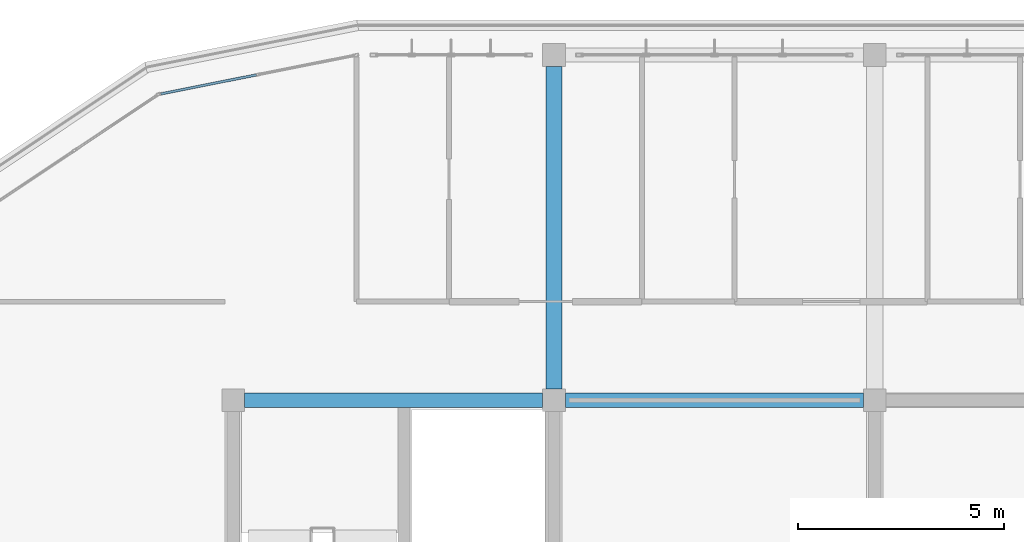
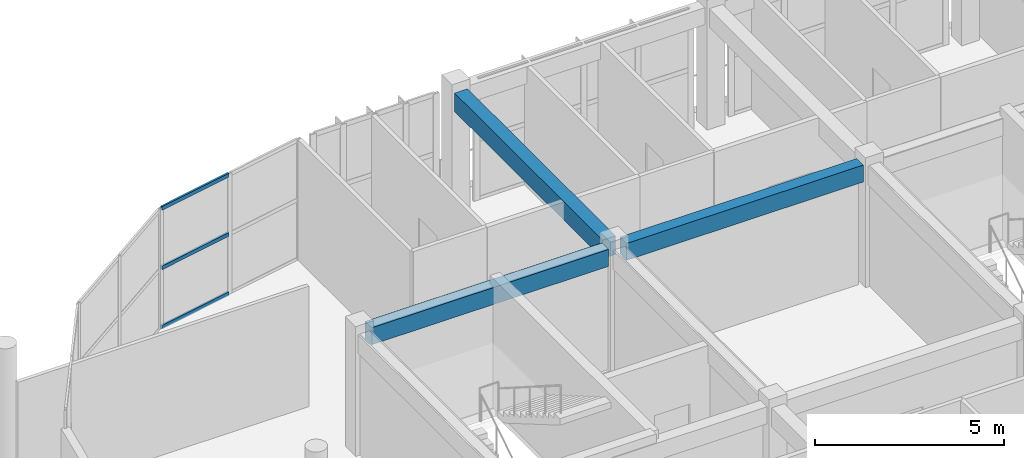
# One storey, part 7 of 44: 3 beams, 3 members, 1 element without a shape of its own.
"""IFC4 building model written with IfcOpenShell, lengths in metres."""

import ifcopenshell
import ifcopenshell.guid

model = None  # the IFC model being written
_history = None  # IfcOwnerHistory: only IFC2X3 demands one
_inside = {}  # id of a spatial element -> (the spatial element, [elements in it])
_under = {}  # id of a project, library or spatial element -> (it, [spatial elements below it])
_declared = {}  # id of a project -> (the project, [libraries it declares])
_typed = {}  # id of a type object -> (the type object, [elements of that type])
_made_of = {}  # id of a material, layer set ... -> (it, [elements and type objects made of it])


def new_model(schema):
    """Start an empty IFC model of exactly this schema.

    Asked for "IFC4X3", IfcOpenShell would pick the latest addendum, in which some entities
    have other attributes; the version numbers below select the first issue.
    IFC2X3 requires an IfcOwnerHistory on every rooted entity: one is made here for all.
    """
    global model, _history
    if schema == "IFC4X3":
        model = ifcopenshell.file(schema_version=(4, 3, 0, 0))
    else:
        model = ifcopenshell.file(schema=schema)
    _inside.clear()
    _under.clear()
    _declared.clear()
    _typed.clear()
    _made_of.clear()
    _history = None
    if model.schema == "IFC2X3":
        org = make("IfcOrganization", Name="unknown")
        user = make(
            "IfcPersonAndOrganization",
            ThePerson=make("IfcPerson", FamilyName="unknown"),
            TheOrganization=org,
        )
        app = make(
            "IfcApplication",
            ApplicationDeveloper=org,
            Version="unknown",
            ApplicationFullName="unknown",
            ApplicationIdentifier="unknown",
        )
        _history = make(
            "IfcOwnerHistory",
            OwningUser=user,
            OwningApplication=app,
            ChangeAction="ADDED",
            CreationDate=0,
        )
    return model


def make(cls, **values):
    """One entity of the class cls with the attributes given. An attribute that is None is left unset."""
    return model.create_entity(
        cls, **{name: value for name, value in values.items() if value is not None}
    )


def rooted(cls, **values):
    """An entity with a GlobalId (a new one), such as an element, a storey or a relation."""
    return make(cls, GlobalId=ifcopenshell.guid.new(), OwnerHistory=_history, **values)


def si_unit(unit_type, name, prefix=None):
    """IfcSIUnit, for example si_unit("LENGTHUNIT", "METRE", prefix="MILLI")."""
    return make("IfcSIUnit", UnitType=unit_type, Prefix=prefix, Name=name)


def assignment(units):
    """IfcUnitAssignment: the units of a project."""
    return None if units is None else make("IfcUnitAssignment", Units=units)


def point(xyz):
    """IfcCartesianPoint."""
    return None if xyz is None else make("IfcCartesianPoint", Coordinates=xyz)


def direction(xyz):
    """IfcDirection."""
    return None if xyz is None else make("IfcDirection", DirectionRatios=xyz)


def frame(location, z_axis=None, x_axis=None):
    """IfcAxis2Placement3D, a coordinate frame: its origin and axes. An axis left out is left unset."""
    return make(
        "IfcAxis2Placement3D",
        Location=point(location),
        Axis=direction(z_axis),
        RefDirection=direction(x_axis),
    )


def frame_2d(location, x_axis=None):
    """IfcAxis2Placement2D, a coordinate frame in the plane: its origin and x axis."""
    return make(
        "IfcAxis2Placement2D", Location=point(location), RefDirection=direction(x_axis)
    )


def origin():
    """The frame at (0, 0, 0) with its axes left unset."""
    return frame((0.0, 0.0, 0.0))


def origin_2d():
    """The frame at (0, 0) in the plane with its x axis left unset."""
    return frame_2d((0.0, 0.0))


def place(relative_to, where):
    """IfcLocalPlacement: puts the frame where relative to a parent placement (None: the world)."""
    return make(
        "IfcLocalPlacement", PlacementRelTo=relative_to, RelativePlacement=where
    )


def context(
    kind, dimensions, precision=None, world=None, true_north=None, identifier=None
):
    """IfcGeometricRepresentationContext, for example the 3D "Model" context."""
    return make(
        "IfcGeometricRepresentationContext",
        ContextIdentifier=identifier,
        ContextType=kind,
        CoordinateSpaceDimension=dimensions,
        Precision=precision,
        WorldCoordinateSystem=world,
        TrueNorth=true_north,
    )


def subcontext(parent, identifier, kind, view, scale=None):
    """IfcGeometricRepresentationSubContext, for example "Body" below "Model"."""
    return make(
        "IfcGeometricRepresentationSubContext",
        ContextIdentifier=identifier,
        ContextType=kind,
        ParentContext=parent,
        TargetScale=scale,
        TargetView=view,
    )


def project(units=None, contexts=None):
    """IfcProject with its units and contexts."""
    return rooted(
        "IfcProject",
        Name="project",
        RepresentationContexts=contexts,
        UnitsInContext=assignment(units),
    )


def spatial(cls, under=None, at=None, **own):
    """A site, building, storey or space (cls), placed at a placement, below another one or the project."""
    s = rooted(cls, ObjectPlacement=at, **own)
    if under is not None:
        _under.setdefault(under.id(), (under, []))[1].append(s)
    return s


def profile(cls, at=None, kind="AREA", **sizes):
    """A parametric profile (cls). Its sizes go by their IFC names, for example OverallWidth=200.0."""
    return make(cls, ProfileType=kind, Position=at, **sizes)


def rectangle(**sizes):
    """IfcRectangleProfileDef."""
    return profile("IfcRectangleProfileDef", **sizes)


def hollow_rectangle(**sizes):
    """IfcRectangleHollowProfileDef."""
    return profile("IfcRectangleHollowProfileDef", **sizes)


def extrude(swept, where, along, depth):
    """IfcExtrudedAreaSolid: the profile swept, set in the frame where, extruded along a direction by depth."""
    return make(
        "IfcExtrudedAreaSolid",
        SweptArea=swept,
        Position=where,
        ExtrudedDirection=direction(along),
        Depth=depth,
    )


def shape(context_of_items, identifier, shape_type, items):
    """IfcShapeRepresentation: the items that make up one representation, for example the "Body"."""
    return make(
        "IfcShapeRepresentation",
        ContextOfItems=context_of_items,
        RepresentationIdentifier=identifier,
        RepresentationType=shape_type,
        Items=items,
    )


def material(Name=None, Category=None):
    """IfcMaterial."""
    return make("IfcMaterial", Name=Name, Category=Category)


def layer(
    of_material, thickness, ventilated=None, Name=None, Category=None, Priority=None
):
    """IfcMaterialLayer: one layer of a wall or slab, of a material (None: an air gap)."""
    return make(
        "IfcMaterialLayer",
        Material=of_material,
        LayerThickness=thickness,
        IsVentilated=ventilated,
        Name=Name,
        Category=Category,
        Priority=Priority,
    )


def layer_set(layers, Name=None):
    """IfcMaterialLayerSet."""
    return make("IfcMaterialLayerSet", MaterialLayers=layers, LayerSetName=Name)


def material_profile(
    of_material, cross_section, Name=None, Category=None, Priority=None
):
    """IfcMaterialProfile: a cross section and its material."""
    return make(
        "IfcMaterialProfile",
        Name=Name,
        Material=of_material,
        Profile=cross_section,
        Priority=Priority,
        Category=Category,
    )


def profile_set(profiles, Name=None, composite=None):
    """IfcMaterialProfileSet."""
    return make(
        "IfcMaterialProfileSet",
        Name=Name,
        MaterialProfiles=profiles,
        CompositeProfile=composite,
    )


def made_of(thing, what):
    """Note that an element or type object is made of a material, layer set ...; save() writes the relation."""
    if what is not None:
        _made_of.setdefault(what.id(), (what, []))[1].append(thing)
    return thing


def type_object(cls, material=None, **own):
    """A type object (cls), such as IfcWallType, which elements share."""
    return made_of(rooted(cls, **own), material)


def element(
    cls,
    number,
    at=None,
    inside=None,
    cuts=None,
    type_object=None,
    material=None,
    context=None,
    identifier="Body",
    shape_type=None,
    held_by="IfcProductDefinitionShape",
    body=None,
    shapes=None,
    **own,
):
    """One element of the class cls, such as IfcWall. Its Tag is "e" and its number.

    at: its placement. inside: the storey or other place that contains it. cuts: it is an
    opening in that element (IfcRelVoidsElement). A single representation is given by context,
    identifier, shape_type and body (its items); several are given by shapes. held_by: the class
    of the entity that holds the representations. save() writes the other relations.
    """
    e = rooted(cls, Tag="e%d" % number, ObjectPlacement=at, **own)
    if body is not None:
        shapes = [shape(context, identifier, shape_type, body)]
    if shapes is not None:
        e.Representation = make(held_by, Representations=shapes)
    if inside is not None:
        _inside.setdefault(inside.id(), (inside, []))[1].append(e)
    if cuts is not None:
        rooted(
            "IfcRelVoidsElement", RelatingBuildingElement=cuts, RelatedOpeningElement=e
        )
    if type_object is not None:
        _typed.setdefault(type_object.id(), (type_object, []))[1].append(e)
    return made_of(e, material)


def aggregate(whole, parts):
    """IfcRelAggregates: a whole, such as a stair, and the parts it consists of."""
    return rooted("IfcRelAggregates", RelatingObject=whole, RelatedObjects=parts)


def save(model, path):
    """Write the relations noted so far, then the file.

    IfcRelAggregates (storeys below a building ...), IfcRelContainedInSpatialStructure (elements
    in a storey), IfcRelDefinesByType, IfcRelAssociatesMaterial and IfcRelDeclares: one each for
    every whole, place, type object, material and project.
    """
    for whole, parts in _under.values():
        aggregate(whole, parts)
    for where, things in _inside.values():
        rooted(
            "IfcRelContainedInSpatialStructure",
            RelatedElements=things,
            RelatingStructure=where,
        )
    for kind, things in _typed.values():
        rooted("IfcRelDefinesByType", RelatedObjects=things, RelatingType=kind)
    for what, things in _made_of.values():
        rooted("IfcRelAssociatesMaterial", RelatedObjects=things, RelatingMaterial=what)
    for by, libraries in _declared.values():
        rooted("IfcRelDeclares", RelatingContext=by, RelatedDefinitions=libraries)
    model.write(path)


model = new_model("IFC4")

# Units and contexts
model_context = context("Model", 3, precision=1e-05, world=origin(), true_north=direction((0.0, 1.0)))
body_context = subcontext(model_context, "Body", "Model", "MODEL_VIEW")
ifc_project = project(units=[si_unit("LENGTHUNIT", "METRE"), si_unit("AREAUNIT", "SQUARE_METRE"), si_unit("VOLUMEUNIT", "CUBIC_METRE"), si_unit("PLANEANGLEUNIT", "RADIAN"), si_unit("MASSUNIT", "GRAM", prefix="KILO")], contexts=[model_context])

# Site, building, storey
site_placement = place(None, origin())
site = spatial("IfcSite", under=ifc_project, at=site_placement, CompositionType="ELEMENT")
building_placement = place(site_placement, origin())
building = spatial("IfcBuilding", under=site, at=building_placement, Name="Zizhar Promenade General Hospital", CompositionType="ELEMENT")
storey_placement = place(building_placement, frame((0.0, 0.0, 34.800048828125)))
storey = spatial("IfcBuildingStorey", under=building, at=storey_placement, Name="L08", CompositionType="ELEMENT", Elevation=34.800048828125)

# Beams
ifc_material_1 = material(Name="Concrete C35/45", Category="concrete")
ifc_material_profile_1 = material_profile(ifc_material_1, rectangle(XDim=0.35009765625, YDim=0.550048828125, at=origin_2d()))
ifc_profile_set_1 = profile_set([ifc_material_profile_1], Name="Concrete C35/45")
beam_type_1 = type_object("IfcBeamType", Name="BM-RC-350x550", PredefinedType="LINTEL", material=ifc_profile_set_1)
for number, where, z_axis, x_axis, name in (
    (1, (47.074951171875, 16.800048828125, 3.635009765625), (1.0, 0.0, 0.0), (0.0, 1.0, 0.0), "Grid Beam X L08 (6-2)"),
    (2, (54.875, 16.800048828125, 3.635009765625), (1.0, 0.0, 0.0), (0.0, 1.0, 0.0), "Grid Beam X L08 (7-2)"),
):
    element("IfcBeam", number, at=place(storey_placement, frame(where, z_axis=z_axis, x_axis=x_axis)), inside=storey, type_object=beam_type_1, Name=name, PredefinedType="LINTEL", context=body_context, shape_type="SweptSolid", body=[
        extrude(rectangle(XDim=0.35009765625, YDim=0.550048828125, at=origin_2d()), origin(), (0.0, 0.0, 1.0), 7.25),
    ])
ifc_material_2 = material(Name="Concrete C35/45", Category="concrete")
ifc_material_profile_2 = material_profile(ifc_material_2, rectangle(XDim=0.39990234375, YDim=0.60009765625, at=origin_2d()))
ifc_profile_set_2 = profile_set([ifc_material_profile_2], Name="Concrete C35/45")
beam_type_2 = type_object("IfcBeamType", Name="BM-RC-400x600", PredefinedType="JOIST", material=ifc_profile_set_2)
beam_placement = place(storey_placement, frame((54.60009765625, 17.074951171875, 3.60986328125), z_axis=(0.0, 1.0, 0.0), x_axis=(-1.0, 0.0, 0.0)))
element("IfcBeam", 3, at=beam_placement, inside=storey, type_object=beam_type_2, Name="Grid Beam Y L08 (7-2)", PredefinedType="JOIST", context=body_context, shape_type="SweptSolid", body=[
    extrude(rectangle(XDim=0.39990234375, YDim=0.60009765625, at=origin_2d()), origin(), (0.0, 0.0, 1.0), 7.85009765625),
])

# Curtain wall, members
ifc_material_3 = material(Name="Anodised aluminium 6063-T6 and low-E glass", Category="aluminium")
ifc_layer = layer(ifc_material_3, 0.159912109375)
ifc_layer_set = layer_set([ifc_layer], Name="Anodised aluminium 6063-T6 and low-E glass")
curtain_wall_type = type_object("IfcCurtainWallType", Name="CW-WARD-ARC", PredefinedType="NOTDEFINED", material=ifc_layer_set)
curtain_wall_placement = place(storey_placement, origin())
curtain_wall = element("IfcCurtainWall", 4, at=curtain_wall_placement, inside=storey, type_object=curtain_wall_type, Name="Ward Semicircular End Glazing L08-10", PredefinedType="NOTDEFINED")
ifc_material_4 = material(Name="Anodised aluminium 6063-T6", Category="aluminium")
ifc_material_profile_3 = material_profile(ifc_material_4, hollow_rectangle(XDim=0.06005859375, YDim=0.1201171875, WallThickness=0.00390625, at=origin_2d()))
ifc_profile_set_3 = profile_set([ifc_material_profile_3], Name="Anodised aluminium 6063-T6")
member_type = type_object("IfcMemberType", Name="CWT-ALU-120x60", PredefinedType="USERDEFINED", material=ifc_profile_set_3)
member_1_placement = place(storey_placement, frame((45.037109375, 24.252685546875, 0.030029296875), z_axis=(0.980790278018, 0.195065195628, 0.0), x_axis=(-0.195065195628, 0.980790278018, 0.0)))
member_1 = element("IfcMember", 5, at=member_1_placement, type_object=member_type, Name="CW-12 transom 1.1", ObjectType="TRANSOM", PredefinedType="USERDEFINED", context=body_context, shape_type="SweptSolid", body=[
    extrude(hollow_rectangle(XDim=0.06005859375, YDim=0.1201171875, WallThickness=0.00390625, at=origin_2d()), origin(), (0.0, 0.0, 1.0), 2.367919921875),
])
member_2_placement = place(storey_placement, frame((45.037109375, 24.252685546875, 1.949951171875), z_axis=(0.980790278018, 0.195065195628, 0.0), x_axis=(-0.195065195628, 0.980790278018, 0.0)))
member_2 = element("IfcMember", 6, at=member_2_placement, type_object=member_type, Name="CW-12 transom 1.2", ObjectType="TRANSOM", PredefinedType="USERDEFINED", context=body_context, shape_type="SweptSolid", body=[
    extrude(hollow_rectangle(XDim=0.06005859375, YDim=0.1201171875, WallThickness=0.00390625, at=origin_2d()), origin(), (0.0, 0.0, 1.0), 2.367919921875),
])
member_3_placement = place(storey_placement, frame((45.037109375, 24.252685546875, 3.869873046875), z_axis=(0.980790278018, 0.195065195628, 0.0), x_axis=(-0.195065195628, 0.980790278018, 0.0)))
member_3 = element("IfcMember", 7, at=member_3_placement, type_object=member_type, Name="CW-12 transom 1.3", ObjectType="TRANSOM", PredefinedType="USERDEFINED", context=body_context, shape_type="SweptSolid", body=[
    extrude(hollow_rectangle(XDim=0.06005859375, YDim=0.1201171875, WallThickness=0.00390625, at=origin_2d()), origin(), (0.0, 0.0, 1.0), 2.367919921875),
])
aggregate(curtain_wall, [member_1, member_2, member_3])

save(model, "model.ifc")
